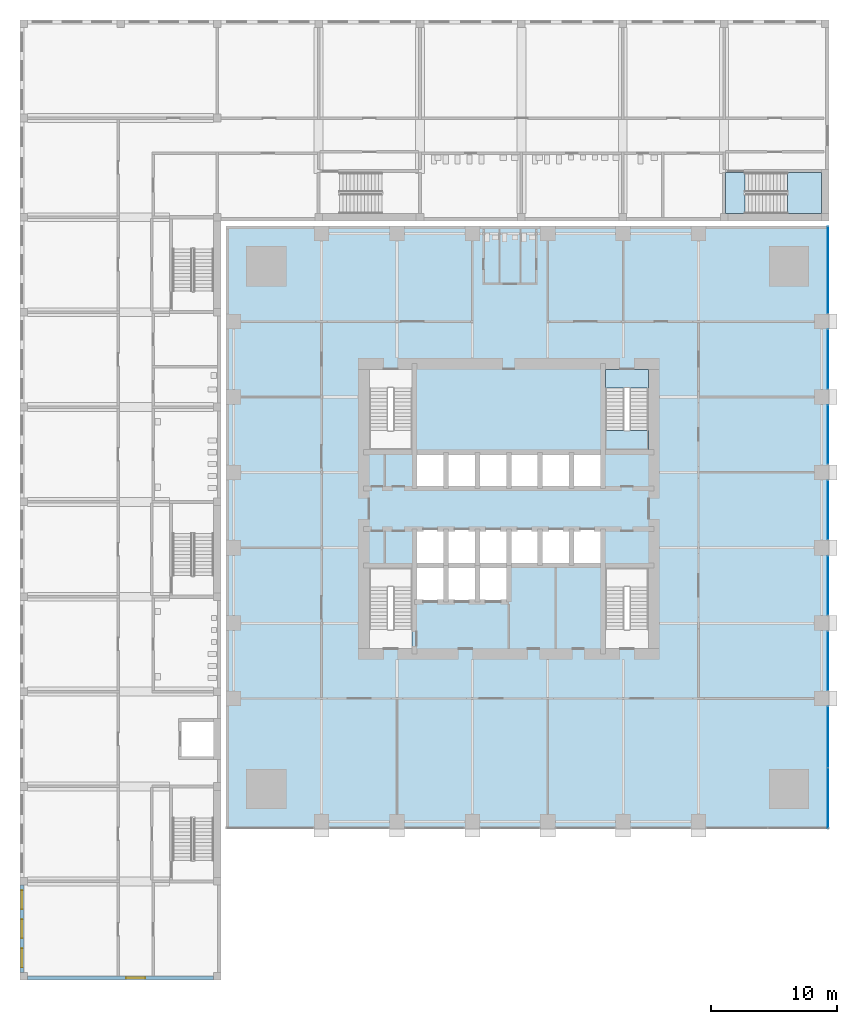
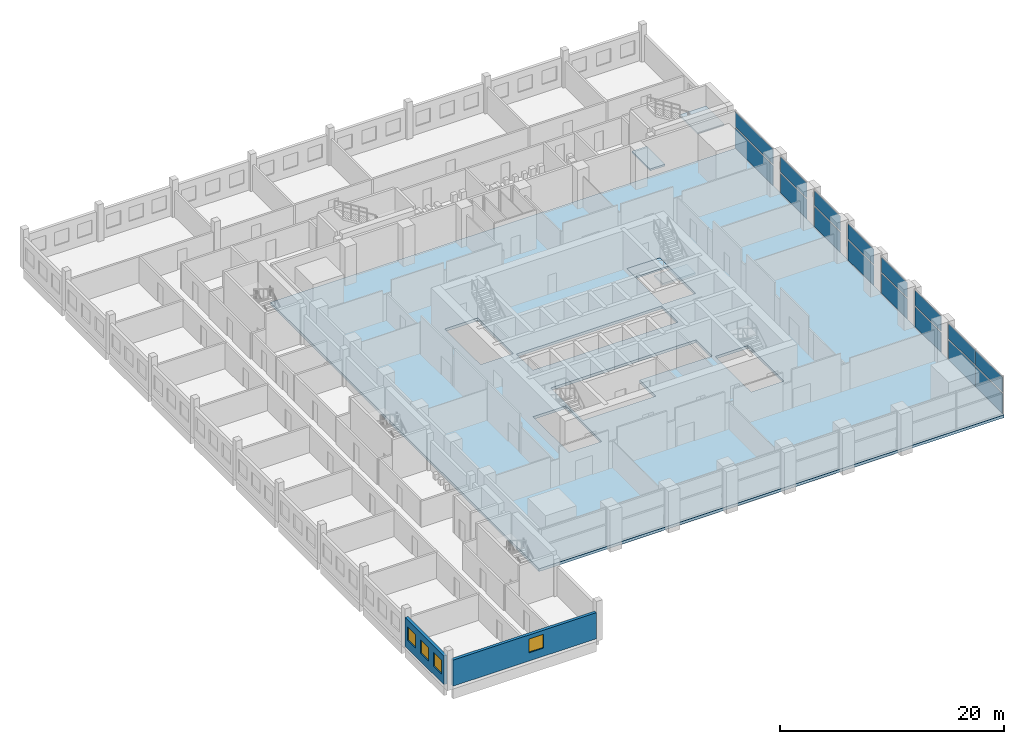
# One storey, part 9 of 24: 16 plates, 5 slabs, 4 windows, 2 walls, 4 openings, 9 elements without a shape of their own.
"""IFC4 building model written with IfcOpenShell, lengths in metres."""

from ifc_helpers import new_model, si_unit, direction, frame, frame_2d, origin, origin_2d, place, context, subcontext, project, spatial, polyline, rectangle, outline, extrude, material, layer, layer_set, type_object, element, fill, aggregate, save


model = new_model("IFC4")

# Units and contexts
model_context = context("Model", 3, precision=1e-05, world=origin(), true_north=direction((0.0, 1.0)))
body_context = subcontext(model_context, "Body", "Model", "MODEL_VIEW")
ifc_project = project(units=[si_unit("LENGTHUNIT", "METRE"), si_unit("AREAUNIT", "SQUARE_METRE"), si_unit("VOLUMEUNIT", "CUBIC_METRE"), si_unit("PLANEANGLEUNIT", "RADIAN"), si_unit("MASSUNIT", "GRAM", prefix="KILO")], contexts=[model_context])

# Site, building, storey
site_placement = place(None, origin())
site = spatial("IfcSite", under=ifc_project, at=site_placement, CompositionType="ELEMENT")
building_placement = place(site_placement, origin())
building = spatial("IfcBuilding", under=site, at=building_placement, Name="Amberfall Residences", CompositionType="ELEMENT")
storey_placement = place(building_placement, frame((0.0, 0.0, 19.0)))
storey = spatial("IfcBuildingStorey", under=building, at=storey_placement, Name="L04", CompositionType="ELEMENT", Elevation=19.0)

# Curtain wall, plates
ifc_material_1 = material(Name="Bronze anodised aluminium and glass", Category="aluminium")
curtain_wall_type = type_object("IfcCurtainWallType", Name="Curtain wall CW4 podium storefront", PredefinedType="USERDEFINED", material=ifc_material_1)
curtain_wall_1_placement = place(storey_placement, origin())
curtain_wall_1 = element("IfcCurtainWall", 1, at=curtain_wall_1_placement, inside=storey, type_object=curtain_wall_type, Name="Storefront L04 E1", ObjectType="UNITISED CURTAIN WALL", PredefinedType="USERDEFINED")
ifc_material_2 = material(Name="Clear toughened glazing", Category="glass")
ifc_layer_1 = layer(ifc_material_2, 0.028076171875)
ifc_layer_set_1 = layer_set([ifc_layer_1], Name="CW4 panel 28 glazing")
plate_type = type_object("IfcPlateType", Name="CW4 panel 28 glazing", PredefinedType="CURTAIN_PANEL", material=ifc_layer_set_1)
plate_1_placement = place(storey_placement, frame((99.89990234375, 22.467529296875, 0.14990234375), z_axis=(0.0, 0.0, 1.0), x_axis=(0.0, 1.0, 0.0)))
plate_1 = element("IfcPlate", 2, at=plate_1_placement, type_object=plate_type, Name="CW4 panel 1.1", PredefinedType="CURTAIN_PANEL", context=body_context, shape_type="SweptSolid", body=[
    extrude(rectangle(XDim=4.794921875, YDim=0.028076171875, at=origin_2d()), origin(), (0.0, 0.0, 1.0), 2.175048828125),
])
plate_2_placement = place(storey_placement, frame((99.89990234375, 22.467529296875, 2.47509765625), z_axis=(0.0, 0.0, 1.0), x_axis=(0.0, 1.0, 0.0)))
plate_2 = element("IfcPlate", 3, at=plate_2_placement, type_object=plate_type, Name="CW4 panel 1.2", PredefinedType="CURTAIN_PANEL", context=body_context, shape_type="SweptSolid", body=[
    extrude(rectangle(XDim=4.794921875, YDim=0.028076171875, at=origin_2d()), origin(), (0.0, 0.0, 1.0), 1.625),
])
plate_3_placement = place(storey_placement, frame((99.89990234375, 27.33251953125, 0.14990234375), z_axis=(0.0, 0.0, 1.0), x_axis=(0.0, 1.0, 0.0)))
plate_3 = element("IfcPlate", 4, at=plate_3_placement, type_object=plate_type, Name="CW4 panel 2.1", PredefinedType="CURTAIN_PANEL", context=body_context, shape_type="SweptSolid", body=[
    extrude(rectangle(XDim=4.794921875, YDim=0.028076171875, at=origin_2d()), origin(), (0.0, 0.0, 1.0), 2.175048828125),
])
plate_4_placement = place(storey_placement, frame((99.89990234375, 27.33251953125, 2.47509765625), z_axis=(0.0, 0.0, 1.0), x_axis=(0.0, 1.0, 0.0)))
plate_4 = element("IfcPlate", 5, at=plate_4_placement, type_object=plate_type, Name="CW4 panel 2.2", PredefinedType="CURTAIN_PANEL", context=body_context, shape_type="SweptSolid", body=[
    extrude(rectangle(XDim=4.794921875, YDim=0.028076171875, at=origin_2d()), origin(), (0.0, 0.0, 1.0), 1.625),
])
aggregate(curtain_wall_1, [plate_1, plate_2, plate_3, plate_4])

curtain_wall_2_placement = place(storey_placement, origin())
curtain_wall_2 = element("IfcCurtainWall", 6, at=curtain_wall_2_placement, inside=storey, type_object=curtain_wall_type, Name="Storefront L04 E2", ObjectType="UNITISED CURTAIN WALL", PredefinedType="USERDEFINED")
plate_5_placement = place(storey_placement, frame((99.89990234375, 33.39990234375, 0.14990234375), z_axis=(0.0, 0.0, 1.0), x_axis=(0.0, 1.0, 0.0)))
plate_5 = element("IfcPlate", 7, at=plate_5_placement, type_object=plate_type, Name="CW4 panel 1.1", PredefinedType="CURTAIN_PANEL", context=body_context, shape_type="SweptSolid", body=[
    extrude(rectangle(XDim=4.659912109375, YDim=0.028076171875, at=origin_2d()), origin(), (0.0, 0.0, 1.0), 2.175048828125),
])
plate_6_placement = place(storey_placement, frame((99.89990234375, 33.39990234375, 2.47509765625), z_axis=(0.0, 0.0, 1.0), x_axis=(0.0, 1.0, 0.0)))
plate_6 = element("IfcPlate", 8, at=plate_6_placement, type_object=plate_type, Name="CW4 panel 1.2", PredefinedType="CURTAIN_PANEL", context=body_context, shape_type="SweptSolid", body=[
    extrude(rectangle(XDim=4.659912109375, YDim=0.028076171875, at=origin_2d()), origin(), (0.0, 0.0, 1.0), 1.625),
])
aggregate(curtain_wall_2, [plate_5, plate_6])

curtain_wall_3_placement = place(storey_placement, origin())
curtain_wall_3 = element("IfcCurtainWall", 9, at=curtain_wall_3_placement, inside=storey, type_object=curtain_wall_type, Name="Storefront L04 E3", ObjectType="UNITISED CURTAIN WALL", PredefinedType="USERDEFINED")
plate_7_placement = place(storey_placement, frame((99.89990234375, 39.39990234375, 0.14990234375), z_axis=(0.0, 0.0, 1.0), x_axis=(0.0, 1.0, 0.0)))
plate_7 = element("IfcPlate", 10, at=plate_7_placement, type_object=plate_type, Name="CW4 panel 1.1", PredefinedType="CURTAIN_PANEL", context=body_context, shape_type="SweptSolid", body=[
    extrude(rectangle(XDim=4.659912109375, YDim=0.028076171875, at=origin_2d()), origin(), (0.0, 0.0, 1.0), 2.175048828125),
])
plate_8_placement = place(storey_placement, frame((99.89990234375, 39.39990234375, 2.47509765625), z_axis=(0.0, 0.0, 1.0), x_axis=(0.0, 1.0, 0.0)))
plate_8 = element("IfcPlate", 11, at=plate_8_placement, type_object=plate_type, Name="CW4 panel 1.2", PredefinedType="CURTAIN_PANEL", context=body_context, shape_type="SweptSolid", body=[
    extrude(rectangle(XDim=4.659912109375, YDim=0.028076171875, at=origin_2d()), origin(), (0.0, 0.0, 1.0), 1.625),
])
aggregate(curtain_wall_3, [plate_7, plate_8])

curtain_wall_4_placement = place(storey_placement, origin())
curtain_wall_4 = element("IfcCurtainWall", 12, at=curtain_wall_4_placement, inside=storey, type_object=curtain_wall_type, Name="Storefront L04 E4", ObjectType="UNITISED CURTAIN WALL", PredefinedType="USERDEFINED")
plate_9_placement = place(storey_placement, frame((99.89990234375, 45.39990234375, 0.14990234375), z_axis=(0.0, 0.0, 1.0), x_axis=(0.0, 1.0, 0.0)))
plate_9 = element("IfcPlate", 13, at=plate_9_placement, type_object=plate_type, Name="CW4 panel 1.1", PredefinedType="CURTAIN_PANEL", context=body_context, shape_type="SweptSolid", body=[
    extrude(rectangle(XDim=4.659912109375, YDim=0.028076171875, at=origin_2d()), origin(), (0.0, 0.0, 1.0), 2.175048828125),
])
plate_10_placement = place(storey_placement, frame((99.89990234375, 45.39990234375, 2.47509765625), z_axis=(0.0, 0.0, 1.0), x_axis=(0.0, 1.0, 0.0)))
plate_10 = element("IfcPlate", 14, at=plate_10_placement, type_object=plate_type, Name="CW4 panel 1.2", PredefinedType="CURTAIN_PANEL", context=body_context, shape_type="SweptSolid", body=[
    extrude(rectangle(XDim=4.659912109375, YDim=0.028076171875, at=origin_2d()), origin(), (0.0, 0.0, 1.0), 1.625),
])
aggregate(curtain_wall_4, [plate_9, plate_10])

curtain_wall_5_placement = place(storey_placement, origin())
curtain_wall_5 = element("IfcCurtainWall", 15, at=curtain_wall_5_placement, inside=storey, type_object=curtain_wall_type, Name="Storefront L04 E5", ObjectType="UNITISED CURTAIN WALL", PredefinedType="USERDEFINED")
plate_11_placement = place(storey_placement, frame((99.89990234375, 51.39990234375, 0.14990234375), z_axis=(0.0, 0.0, 1.0), x_axis=(0.0, 1.0, 0.0)))
plate_11 = element("IfcPlate", 16, at=plate_11_placement, type_object=plate_type, Name="CW4 panel 1.1", PredefinedType="CURTAIN_PANEL", context=body_context, shape_type="SweptSolid", body=[
    extrude(rectangle(XDim=4.659912109375, YDim=0.028076171875, at=origin_2d()), origin(), (0.0, 0.0, 1.0), 2.175048828125),
])
plate_12_placement = place(storey_placement, frame((99.89990234375, 51.39990234375, 2.47509765625), z_axis=(0.0, 0.0, 1.0), x_axis=(0.0, 1.0, 0.0)))
plate_12 = element("IfcPlate", 17, at=plate_12_placement, type_object=plate_type, Name="CW4 panel 1.2", PredefinedType="CURTAIN_PANEL", context=body_context, shape_type="SweptSolid", body=[
    extrude(rectangle(XDim=4.659912109375, YDim=0.028076171875, at=origin_2d()), origin(), (0.0, 0.0, 1.0), 1.625),
])
aggregate(curtain_wall_5, [plate_11, plate_12])

curtain_wall_6_placement = place(storey_placement, origin())
curtain_wall_6 = element("IfcCurtainWall", 18, at=curtain_wall_6_placement, inside=storey, type_object=curtain_wall_type, Name="Storefront L04 E6", ObjectType="UNITISED CURTAIN WALL", PredefinedType="USERDEFINED")
plate_13_placement = place(storey_placement, frame((99.89990234375, 57.39990234375, 0.14990234375), z_axis=(0.0, 0.0, 1.0), x_axis=(0.0, 1.0, 0.0)))
plate_13 = element("IfcPlate", 19, at=plate_13_placement, type_object=plate_type, Name="CW4 panel 1.1", PredefinedType="CURTAIN_PANEL", context=body_context, shape_type="SweptSolid", body=[
    extrude(rectangle(XDim=4.659912109375, YDim=0.028076171875, at=origin_2d()), origin(), (0.0, 0.0, 1.0), 2.175048828125),
])
plate_14_placement = place(storey_placement, frame((99.89990234375, 57.39990234375, 2.47509765625), z_axis=(0.0, 0.0, 1.0), x_axis=(0.0, 1.0, 0.0)))
plate_14 = element("IfcPlate", 20, at=plate_14_placement, type_object=plate_type, Name="CW4 panel 1.2", PredefinedType="CURTAIN_PANEL", context=body_context, shape_type="SweptSolid", body=[
    extrude(rectangle(XDim=4.659912109375, YDim=0.028076171875, at=origin_2d()), origin(), (0.0, 0.0, 1.0), 1.625),
])
aggregate(curtain_wall_6, [plate_13, plate_14])

curtain_wall_7_placement = place(storey_placement, origin())
curtain_wall_7 = element("IfcCurtainWall", 21, at=curtain_wall_7_placement, inside=storey, type_object=curtain_wall_type, Name="Storefront L04 E7", ObjectType="UNITISED CURTAIN WALL", PredefinedType="USERDEFINED")
plate_15_placement = place(storey_placement, frame((99.89990234375, 64.5, 0.14990234375), z_axis=(0.0, 0.0, 1.0), x_axis=(0.0, 1.0, 0.0)))
plate_15 = element("IfcPlate", 22, at=plate_15_placement, type_object=plate_type, Name="CW4 panel 1.1", PredefinedType="CURTAIN_PANEL", context=body_context, shape_type="SweptSolid", body=[
    extrude(rectangle(XDim=6.860107421875, YDim=0.028076171875, at=origin_2d()), origin(), (0.0, 0.0, 1.0), 2.175048828125),
])
plate_16_placement = place(storey_placement, frame((99.89990234375, 64.5, 2.47509765625), z_axis=(0.0, 0.0, 1.0), x_axis=(0.0, 1.0, 0.0)))
plate_16 = element("IfcPlate", 23, at=plate_16_placement, type_object=plate_type, Name="CW4 panel 1.2", PredefinedType="CURTAIN_PANEL", context=body_context, shape_type="SweptSolid", body=[
    extrude(rectangle(XDim=6.860107421875, YDim=0.028076171875, at=origin_2d()), origin(), (0.0, 0.0, 1.0), 1.625),
])
aggregate(curtain_wall_7, [plate_15, plate_16])

# Slab
ifc_material_3 = material(Name="Concrete C60", Category="concrete")
ifc_layer_2 = layer(ifc_material_3, 0.300048828125)
ifc_layer_set_2 = layer_set([ifc_layer_2], Name="Podium floor slab 300 C60")
slab_type_1 = type_object("IfcSlabType", Name="Podium floor slab 300 C60", PredefinedType="FLOOR", material=ifc_layer_set_2)
slab_1_placement = place(storey_placement, frame((0.0, 0.0, -0.300048828125)))
element("IfcSlab", 24, at=slab_1_placement, inside=storey, type_object=slab_type_1, Name="Floor slab S2 L04", PredefinedType="FLOOR", context=body_context, shape_type="SweptSolid", body=[
    extrude(outline(polyline([(52.0, 68.0), (100.0, 68.0), (100.0, 20.0), (52.0, 20.0), (52.0, 68.0)]), holes=[polyline([(85.60009765625, 34.39990234375), (85.60009765625, 40.800048828125), (82.199951171875, 40.800048828125), (82.199951171875, 34.39990234375), (85.60009765625, 34.39990234375)]), polyline([(82.199951171875, 50.199951171875), (85.60009765625, 50.199951171875), (85.60009765625, 56.60009765625), (82.199951171875, 56.60009765625), (82.199951171875, 50.199951171875)]), polyline([(69.5, 50.0), (67.0, 50.0), (67.0, 47.10009765625), (69.5, 47.10009765625), (72.0, 47.10009765625), (74.5, 47.10009765625), (77.0, 47.10009765625), (79.5, 47.10009765625), (82.0, 47.10009765625), (82.0, 50.0), (79.5, 50.0), (77.0, 50.0), (74.5, 50.0), (72.0, 50.0), (69.5, 50.0)]), polyline([(74.5, 41.0), (77.0, 41.0), (79.5, 41.0), (82.0, 41.0), (82.0, 43.89990234375), (79.5, 43.89990234375), (77.0, 43.89990234375), (74.5, 43.89990234375), (72.0, 43.89990234375), (69.5, 43.89990234375), (67.0, 43.89990234375), (67.0, 41.0), (67.0, 38.10009765625), (69.5, 38.10009765625), (72.0, 38.10009765625), (74.5, 38.10009765625), (74.5, 41.0)]), polyline([(66.800048828125, 34.39990234375), (66.800048828125, 40.800048828125), (63.39990234375, 40.800048828125), (63.39990234375, 34.39990234375), (66.800048828125, 34.39990234375)]), polyline([(66.800048828125, 50.199951171875), (66.800048828125, 56.60009765625), (63.39990234375, 56.60009765625), (63.39990234375, 50.199951171875), (66.800048828125, 50.199951171875)])]), origin(), (0.0, 0.0, 1.0), 0.300048828125),
])

# Stair, slabs
ifc_material_4 = material(Name="Concrete C40", Category="concrete")
stair_type_1 = type_object("IfcStairType", Name="School stair", PredefinedType="HALF_TURN_STAIR", material=ifc_material_4)
stair_1_placement = place(storey_placement, origin())
stair_1 = element("IfcStair", 25, at=stair_1_placement, inside=storey, type_object=stair_type_1, Name="L04 Stair SS5", PredefinedType="HALF_TURN_STAIR")
ifc_layer_3 = layer(ifc_material_4, 0.199951171875)
ifc_layer_set_3 = layer_set([ifc_layer_3], Name="School stair landing")
slab_type_2 = type_object("IfcSlabType", Name="School stair landing", PredefinedType="LANDING", material=ifc_layer_set_3)
slab_2_placement = place(storey_placement, frame((0.0, 0.0, 2.050048828125)))
slab_2 = element("IfcSlab", 26, at=slab_2_placement, type_object=slab_type_2, Name="SS5 landing 1", PredefinedType="LANDING", context=body_context, shape_type="SweptSolid", body=[
    extrude(outline(polyline([(96.66796875, 69.0), (99.39990234375, 69.0), (99.39990234375, 72.25), (96.66796875, 72.25), (96.66796875, 69.0)])), origin(), (0.0, 0.0, 1.0), 0.199951171875),
])
slab_3_placement = place(storey_placement, frame((0.0, 0.0, -0.199951171875)))
slab_3 = element("IfcSlab", 27, at=slab_3_placement, type_object=slab_type_2, Name="SS5 landing 2", PredefinedType="LANDING", context=body_context, shape_type="SweptSolid", body=[
    extrude(outline(polyline([(91.758056640625, 69.0), (93.30810546875, 69.0), (93.30810546875, 72.25), (91.758056640625, 72.25), (91.758056640625, 69.0)])), origin(), (0.0, 0.0, 1.0), 0.199951171875),
])
aggregate(stair_1, [slab_2, slab_3])

stair_type_2 = type_object("IfcStairType", Name="Exit stair 26 risers 173.1 mm", PredefinedType="HALF_TURN_STAIR", material=ifc_material_4)
stair_2_placement = place(storey_placement, origin())
stair_2 = element("IfcStair", 28, at=stair_2_placement, inside=storey, type_object=stair_type_2, Name="L04 Exit stair 3", PredefinedType="HALF_TURN_STAIR")
ifc_layer_4 = layer(ifc_material_4, 0.199951171875)
ifc_layer_set_4 = layer_set([ifc_layer_4], Name="Stair landing 200")
slab_type_3 = type_object("IfcSlabType", Name="Stair landing 200", PredefinedType="LANDING", material=ifc_layer_set_4)
slab_4_placement = place(storey_placement, frame((0.0, 0.0, 2.050048828125)))
slab_4 = element("IfcSlab", 29, at=slab_4_placement, type_object=slab_type_3, Name="ST2 landing 1", PredefinedType="LANDING", context=body_context, shape_type="SweptSolid", body=[
    extrude(outline(polyline([(82.199951171875, 51.739990234375), (82.199951171875, 50.199951171875), (85.60009765625, 50.199951171875), (85.60009765625, 51.739990234375), (82.199951171875, 51.739990234375)])), origin(), (0.0, 0.0, 1.0), 0.199951171875),
])
slab_5_placement = place(storey_placement, frame((0.0, 0.0, -0.199951171875)))
slab_5 = element("IfcSlab", 30, at=slab_5_placement, type_object=slab_type_3, Name="ST2 landing 2", PredefinedType="LANDING", context=body_context, shape_type="SweptSolid", body=[
    extrude(outline(polyline([(82.199951171875, 56.60009765625), (82.199951171875, 55.10009765625), (85.60009765625, 55.10009765625), (85.60009765625, 56.60009765625), (82.199951171875, 56.60009765625)])), origin(), (0.0, 0.0, 1.0), 0.199951171875),
])
aggregate(stair_2, [slab_4, slab_5])

# Wall, openings, windows
ifc_material_5 = material(Name="Aerated block wall")
ifc_layer_5 = layer(ifc_material_5, 0.300048828125)
ifc_layer_set_5 = layer_set([ifc_layer_5], Name="School external wall 300")
wall_type = type_object("IfcWallType", Name="School external wall 300", PredefinedType="SOLIDWALL", material=ifc_layer_set_5)
wall_1_placement = place(storey_placement, frame((35.75, 8.60009765625, 0.0), z_axis=(0.0, 0.0, 1.0), x_axis=(0.0, 1.0, 0.0)))
wall_1 = element("IfcWall", 31, at=wall_1_placement, inside=storey, type_object=wall_type, Name="School external wall L04 EW0", PredefinedType="SOLIDWALL", context=body_context, shape_type="SweptSolid", body=[
    extrude(rectangle(XDim=6.949951171875, YDim=0.300048828125, at=frame_2d((3.47509765625, 0.0))), origin(), (0.0, 0.0, 1.0), 3.14990234375),
])
opening_1_placement = place(wall_1_placement, frame((0.408203125, 0.0, 0.89990234375)))
opening_1 = element("IfcOpeningElement", 32, at=opening_1_placement, cuts=wall_1, Name="Opening SWN1", PredefinedType="OPENING", context=body_context, shape_type="SweptSolid", body=[
    extrude(rectangle(XDim=1.5, YDim=1.5, at=frame_2d((0.75, 0.75))), frame((0.0, 0.159912109375, 0.0), z_axis=(0.0, -1.0, 0.0), x_axis=(1.0, 0.0, 0.0)), (0.0, 0.0, 1.0), 0.320068359375),
])
opening_2_placement = place(wall_1_placement, frame((2.72509765625, 0.0, 0.89990234375)))
opening_2 = element("IfcOpeningElement", 33, at=opening_2_placement, cuts=wall_1, Name="Opening SWN1", PredefinedType="OPENING", context=body_context, shape_type="SweptSolid", body=[
    extrude(rectangle(XDim=1.5, YDim=1.5, at=frame_2d((0.75, 0.75))), frame((0.0, 0.159912109375, 0.0), z_axis=(0.0, -1.0, 0.0), x_axis=(1.0, 0.0, 0.0)), (0.0, 0.0, 1.0), 0.320068359375),
])
opening_3_placement = place(wall_1_placement, frame((5.041748046875, 0.0, 0.89990234375)))
opening_3 = element("IfcOpeningElement", 34, at=opening_3_placement, cuts=wall_1, Name="Opening SWN1", PredefinedType="OPENING", context=body_context, shape_type="SweptSolid", body=[
    extrude(rectangle(XDim=1.5, YDim=1.5, at=frame_2d((0.75, 0.75))), frame((0.0, 0.159912109375, 0.0), z_axis=(0.0, -1.0, 0.0), x_axis=(1.0, 0.0, 0.0)), (0.0, 0.0, 1.0), 0.320068359375),
])
ifc_material_6 = material(Name="Aluminium window", Category="aluminium")
window_type = type_object("IfcWindowType", Name="School window 1500 x 1500", PartitioningType="DOUBLE_PANEL_HORIZONTAL", PredefinedType="WINDOW", material=ifc_material_6)
window_1_placement = place(opening_1_placement, origin())
window_1 = element("IfcWindow", 35, at=window_1_placement, inside=storey, type_object=window_type, Name="School window L04 EW0-1", OverallHeight=1.5, OverallWidth=1.5, PartitioningType="DOUBLE_PANEL_HORIZONTAL", PredefinedType="WINDOW", context=body_context, shape_type="SweptSolid", body=[
    extrude(rectangle(XDim=1.5, YDim=1.5, at=frame_2d((0.75, 0.75))), frame((0.0, 0.030029296875, 0.0), z_axis=(0.0, -1.0, 0.0), x_axis=(1.0, 0.0, 0.0)), (0.0, 0.0, 1.0), 0.06005859375),
])
fill(opening_1, window_1)
window_2_placement = place(opening_2_placement, origin())
window_2 = element("IfcWindow", 36, at=window_2_placement, inside=storey, type_object=window_type, Name="School window L04 EW0-2", OverallHeight=1.5, OverallWidth=1.5, PartitioningType="DOUBLE_PANEL_HORIZONTAL", PredefinedType="WINDOW", context=body_context, shape_type="SweptSolid", body=[
    extrude(rectangle(XDim=1.5, YDim=1.5, at=frame_2d((0.75, 0.75))), frame((0.0, 0.030029296875, 0.0), z_axis=(0.0, -1.0, 0.0), x_axis=(1.0, 0.0, 0.0)), (0.0, 0.0, 1.0), 0.06005859375),
])
fill(opening_2, window_2)
window_3_placement = place(opening_3_placement, origin())
window_3 = element("IfcWindow", 37, at=window_3_placement, inside=storey, type_object=window_type, Name="School window L04 EW0-3", OverallHeight=1.5, OverallWidth=1.5, PartitioningType="DOUBLE_PANEL_HORIZONTAL", PredefinedType="WINDOW", context=body_context, shape_type="SweptSolid", body=[
    extrude(rectangle(XDim=1.5, YDim=1.5, at=frame_2d((0.75, 0.75))), frame((0.0, 0.030029296875, 0.0), z_axis=(0.0, -1.0, 0.0), x_axis=(1.0, 0.0, 0.0)), (0.0, 0.0, 1.0), 0.06005859375),
])
fill(opening_3, window_3)

# Wall, opening, window
wall_2_placement = place(storey_placement, frame((36.199951171875, 8.14990234375, 0.0), z_axis=(0.0, 0.0, 1.0), x_axis=(1.0, 0.0, 0.0)))
wall_2 = element("IfcWall", 38, at=wall_2_placement, inside=storey, type_object=wall_type, Name="School external wall L04 ES", PredefinedType="SOLIDWALL", context=body_context, shape_type="SweptSolid", body=[
    extrude(rectangle(XDim=14.800048828125, YDim=0.300048828125, at=frame_2d((7.39990234375, 0.0))), origin(), (0.0, 0.0, 1.0), 2.85009765625),
])
opening_4_placement = place(wall_2_placement, frame((7.85009765625, 0.0, 0.89990234375)))
opening_4 = element("IfcOpeningElement", 39, at=opening_4_placement, cuts=wall_2, Name="Opening SWN1", PredefinedType="OPENING", context=body_context, shape_type="SweptSolid", body=[
    extrude(rectangle(XDim=1.5, YDim=1.5, at=frame_2d((0.75, 0.75))), frame((0.0, 0.159912109375, 0.0), z_axis=(0.0, -1.0, 0.0), x_axis=(1.0, 0.0, 0.0)), (0.0, 0.0, 1.0), 0.320068359375),
])
window_4_placement = place(opening_4_placement, origin())
window_4 = element("IfcWindow", 40, at=window_4_placement, inside=storey, type_object=window_type, Name="School window L04 ES-1", OverallHeight=1.5, OverallWidth=1.5, PartitioningType="DOUBLE_PANEL_HORIZONTAL", PredefinedType="WINDOW", context=body_context, shape_type="SweptSolid", body=[
    extrude(rectangle(XDim=1.5, YDim=1.5, at=frame_2d((0.75, 0.75))), frame((0.0, 0.030029296875, 0.0), z_axis=(0.0, -1.0, 0.0), x_axis=(1.0, 0.0, 0.0)), (0.0, 0.0, 1.0), 0.06005859375),
])
fill(opening_4, window_4)

save(model, "model.ifc")
